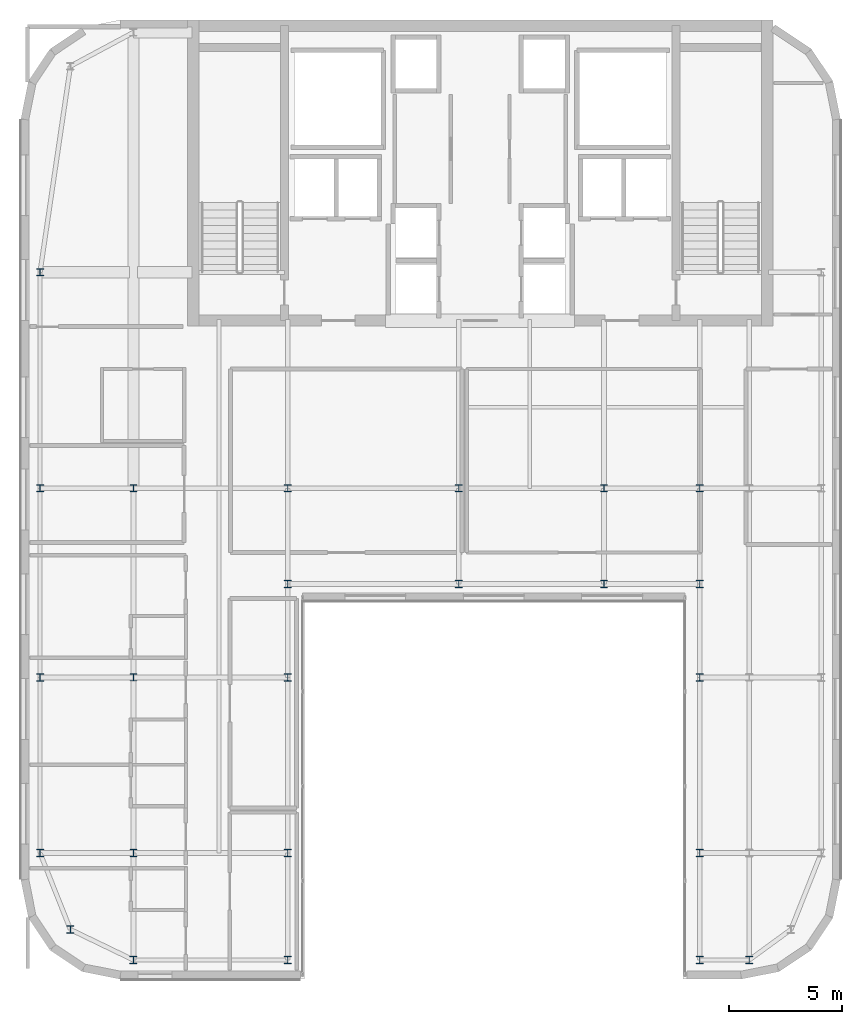
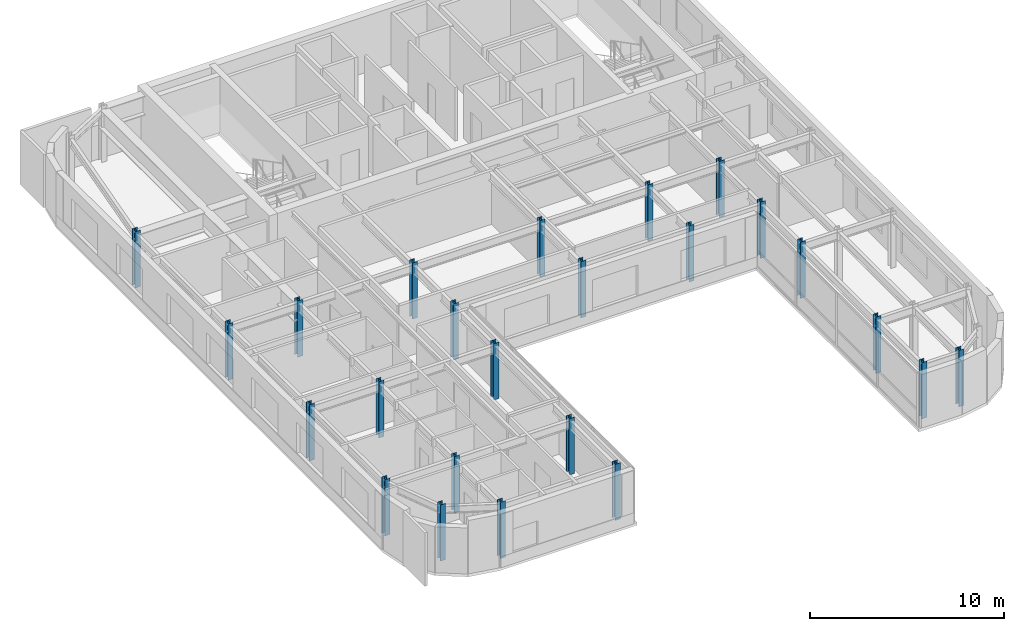
# One storey, part 1 of 20: 24 columns.
"""IFC4 building model written with IfcOpenShell, lengths in metres."""

from ifc_helpers import new_model, si_unit, direction, frame, origin, origin_2d, place, context, subcontext, project, spatial, i_section, extrude, source, transform, mapped, material, material_profile, profile_set, type_object, type_shapes, element, save


model = new_model("IFC4")

# Units and contexts
model_context = context("Model", 3, precision=1e-05, world=origin(), true_north=direction((0.0, 1.0)))
body_context = subcontext(model_context, "Body", "Model", "MODEL_VIEW")
ifc_project = project(units=[si_unit("LENGTHUNIT", "METRE"), si_unit("AREAUNIT", "SQUARE_METRE"), si_unit("VOLUMEUNIT", "CUBIC_METRE"), si_unit("PLANEANGLEUNIT", "RADIAN"), si_unit("MASSUNIT", "GRAM", prefix="KILO")], contexts=[model_context])

# Site, building, storey
site_placement = place(None, origin())
site = spatial("IfcSite", under=ifc_project, at=site_placement, CompositionType="ELEMENT")
building_placement = place(site_placement, origin())
building = spatial("IfcBuilding", under=site, at=building_placement, Name="Tolvann Quenvar Hotel", CompositionType="ELEMENT")
storey_placement = place(building_placement, frame((0.0, 0.0, 248.75)))
storey = spatial("IfcBuildingStorey", under=building, at=storey_placement, Name="L66", CompositionType="ELEMENT", Elevation=248.75)

# Columns
ifc_material = material(Name="Steel Grade 350", Category="steel")
ifc_material_profile_1 = material_profile(ifc_material, i_section(OverallWidth=0.30908203125, OverallDepth=0.321044921875, WebThickness=0.013916015625, FlangeThickness=0.021728515625, FilletRadius=0.0166015625, at=origin_2d()), Name="310UC137")
ifc_profile_set_1 = profile_set([ifc_material_profile_1], Name="Steel Grade 350")
column_type_1 = type_object("IfcColumnType", Name="COL_310UC137", PredefinedType="COLUMN", material=ifc_profile_set_1)
shared_shape_1 = source(origin(), body_context, "Body", "SweptSolid", [
    extrude(i_section(OverallWidth=0.30908203125, OverallDepth=0.321044921875, WebThickness=0.013916015625, FlangeThickness=0.021728515625, FilletRadius=0.0166015625, at=origin_2d()), origin(), (0.0, 0.0, 1.0), 3.550048828125),
])
type_shapes(column_type_1, [shared_shape_1])
for number, where, z_axis, x_axis, name in (
    (1, (4.800048828125, 4.800048828125, 0.0), (0.0, 0.0, 1.0), (1.0, 0.0, 0.0), "Column B2 (L66)"),
    (2, (3.449951171875, 8.199951171875, 0.0), (0.0, 0.0, 1.0), (1.0, 0.0, 0.0), "Column B3 (L66)"),
    (3, (3.449951171875, 16.0, 0.0), (0.0, 0.0, 1.0), (1.0, 0.0, 0.0), "Column B4 (L66)"),
    (4, (7.60009765625, 3.449951171875, 0.0), (0.0, 0.0, 1.0), (1.0, 0.0, 0.0), "Column C2 (L66)"),
    (5, (14.449951171875, 3.449951171875, 0.0), (0.0, 0.0, 1.0), (1.0, 0.0, 0.0), "Column D2 (L66)"),
    (6, (14.449951171875, 8.199951171875, 0.0), (0.0, 0.0, 1.0), (1.0, 0.0, 0.0), "Column D3 (L66)"),
    (7, (14.449951171875, 16.0, 0.0), (0.0, 0.0, 1.0), (1.0, 0.0, 0.0), "Column D4 (L66)"),
    (8, (32.75, 3.449951171875, 0.0), (0.0, 0.0, 1.0), (1.0, 0.0, 0.0), "Column FP2 (L66)"),
    (9, (32.75, 8.199951171875, 0.0), (0.0, 0.0, 1.0), (1.0, 0.0, 0.0), "Column FP3 (L66)"),
    (10, (32.75, 16.0, 0.0), (0.0, 0.0, 1.0), (1.0, 0.0, 0.0), "Column FP4 (L66)"),
    (11, (34.949951171875, 3.449951171875, 0.0), (0.0, 0.0, 1.0), (1.0, 0.0, 0.0), "Column F2 (L66)"),
    (12, (3.449951171875, 24.39990234375, 0.0), (0.0, 0.0, 1.0), (1.0, 0.0, 0.0), "Column B5 (L66)"),
    (13, (14.449951171875, 20.14990234375, 0.0), (0.0, 0.0, 1.0), (1.0, 0.0, 0.0), "Column D4P (L66)"),
    (14, (22.050048828125, 20.14990234375, 0.0), (0.0, 0.0, 1.0), (1.0, 0.0, 0.0), "Column E4P (L66)"),
    (15, (28.5, 20.14990234375, 0.0), (0.0, 0.0, 1.0), (1.0, 0.0, 0.0), "Column M4P (L66)"),
    (16, (32.75, 20.14990234375, 0.0), (0.0, 0.0, 1.0), (1.0, 0.0, 0.0), "Column FP4P (L66)"),
    (17, (3.449951171875, 34.0, 0.0), (0.0, 0.0, 1.0), (1.0, 0.0, 0.0), "Column BD6 (L66)"),
):
    element("IfcColumn", number, at=place(storey_placement, frame(where, z_axis=z_axis, x_axis=x_axis)), inside=storey, type_object=column_type_1, Name=name, PredefinedType="COLUMN", context=body_context, shape_type="MappedRepresentation", body=[
        mapped(shared_shape_1, transform((0.0, 0.0, 0.0), x_axis=(1.0, 0.0, 0.0), y_axis=(0.0, 1.0, 0.0), z_axis=(0.0, 0.0, 1.0), scale=1.0)),
    ])
ifc_material_profile_2 = material_profile(ifc_material, i_section(OverallWidth=0.306884765625, OverallDepth=0.31494140625, WebThickness=0.011962890625, FlangeThickness=0.018798828125, FilletRadius=0.0166015625, at=origin_2d()), Name="310UC118")
ifc_profile_set_2 = profile_set([ifc_material_profile_2], Name="Steel Grade 350")
column_type_2 = type_object("IfcColumnType", Name="COL_310UC118", PredefinedType="COLUMN", material=ifc_profile_set_2)
shared_shape_2 = source(origin(), body_context, "Body", "SweptSolid", [
    extrude(i_section(OverallWidth=0.306884765625, OverallDepth=0.31494140625, WebThickness=0.011962890625, FlangeThickness=0.018798828125, FilletRadius=0.0166015625, at=origin_2d()), origin(), (0.0, 0.0, 1.0), 3.550048828125),
])
type_shapes(column_type_2, [shared_shape_2])
for number, where, z_axis, x_axis, name in (
    (18, (7.60009765625, 8.199951171875, 0.0), (0.0, 0.0, 1.0), (1.0, 0.0, 0.0), "Column C3 (L66)"),
    (19, (7.60009765625, 16.0, 0.0), (0.0, 0.0, 1.0), (1.0, 0.0, 0.0), "Column C4 (L66)"),
    (20, (7.60009765625, 24.39990234375, 0.0), (0.0, 0.0, 1.0), (1.0, 0.0, 0.0), "Column C5 (L66)"),
    (21, (14.449951171875, 24.39990234375, 0.0), (0.0, 0.0, 1.0), (1.0, 0.0, 0.0), "Column D5 (L66)"),
    (22, (22.050048828125, 24.39990234375, 0.0), (0.0, 0.0, 1.0), (1.0, 0.0, 0.0), "Column E5 (L66)"),
    (23, (28.5, 24.39990234375, 0.0), (0.0, 0.0, 1.0), (1.0, 0.0, 0.0), "Column M5 (L66)"),
    (24, (32.75, 24.39990234375, 0.0), (0.0, 0.0, 1.0), (1.0, 0.0, 0.0), "Column FP5 (L66)"),
):
    element("IfcColumn", number, at=place(storey_placement, frame(where, z_axis=z_axis, x_axis=x_axis)), inside=storey, type_object=column_type_2, Name=name, PredefinedType="COLUMN", context=body_context, shape_type="MappedRepresentation", body=[
        mapped(shared_shape_2, transform((0.0, 0.0, 0.0), x_axis=(1.0, 0.0, 0.0), y_axis=(0.0, 1.0, 0.0), z_axis=(0.0, 0.0, 1.0), scale=1.0)),
    ])

save(model, "model.ifc")
